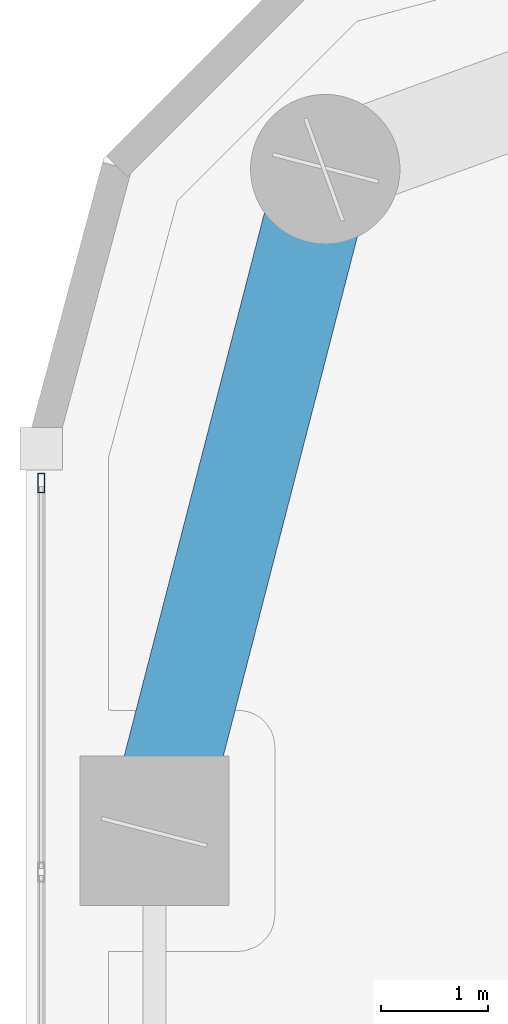
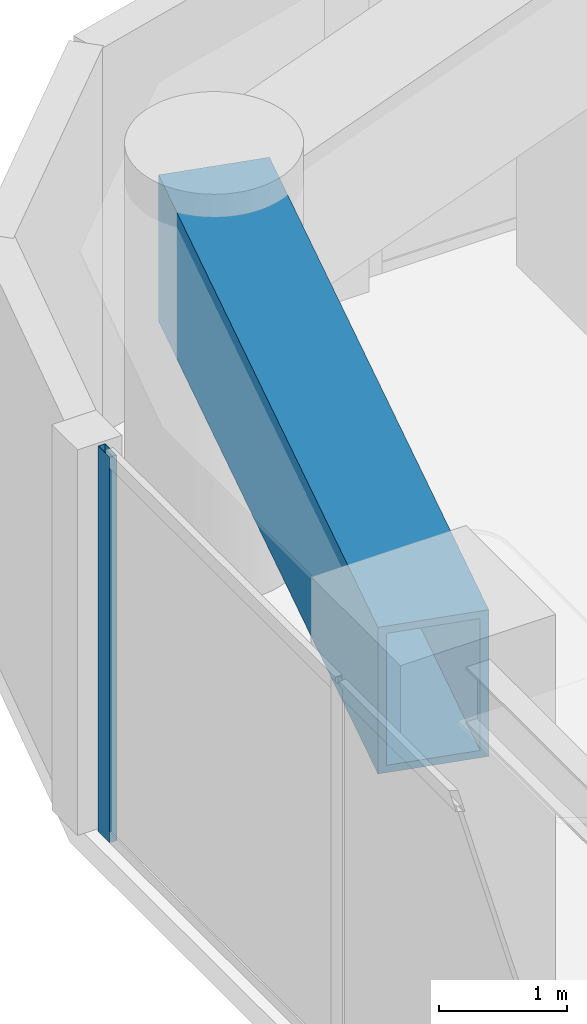
# One storey, part 15 of 30: 1 beam, 1 member, 1 element without a shape of its own.
"""IFC4 building model written with IfcOpenShell, lengths in metres."""

from ifc_helpers import new_model, si_unit, direction, frame, origin, origin_2d, place, context, subcontext, project, spatial, hollow_rectangle, extrude, material, layer, layer_set, material_profile, profile_set, type_object, element, aggregate, save


model = new_model("IFC4")

# Units and contexts
model_context = context("Model", 3, precision=1e-05, world=origin(), true_north=direction((0.0, 1.0)))
body_context = subcontext(model_context, "Body", "Model", "MODEL_VIEW")
ifc_project = project(units=[si_unit("LENGTHUNIT", "METRE"), si_unit("AREAUNIT", "SQUARE_METRE"), si_unit("VOLUMEUNIT", "CUBIC_METRE"), si_unit("PLANEANGLEUNIT", "RADIAN"), si_unit("MASSUNIT", "GRAM", prefix="KILO")], contexts=[model_context])

# Site, building, storey
site_placement = place(None, origin())
site = spatial("IfcSite", under=ifc_project, at=site_placement, CompositionType="ELEMENT")
building_placement = place(site_placement, origin())
building = spatial("IfcBuilding", under=site, at=building_placement, Name="Kiyonajd Concourse Tower", CompositionType="ELEMENT")
storey_placement = place(building_placement, frame((0.0, 0.0, 154.5)))
storey = spatial("IfcBuildingStorey", under=building, at=storey_placement, Name="L39", CompositionType="ELEMENT", Elevation=154.5)

# Beam
ifc_material_1 = material(Name="Steel ASTM A572 Grade 50", Category="steel")
ifc_material_profile_1 = material_profile(ifc_material_1, hollow_rectangle(XDim=0.89990234375, YDim=1.39990234375, WallThickness=0.070068359375, at=origin_2d()), Name="BOX-1400x900x70")
ifc_profile_set_1 = profile_set([ifc_material_profile_1], Name="Steel ASTM A572 Grade 50")
beam_type = type_object("IfcBeamType", Name="BM-XFER-1400", PredefinedType="BEAM", material=ifc_profile_set_1)
beam_placement = place(storey_placement, frame((20.800048828125, 59.60009765625, 2.97998046875), z_axis=(-0.249884937687, -0.968275538221, 0.0), x_axis=(0.968275538221, -0.249884937687, 0.0)))
element("IfcBeam", 1, at=beam_placement, inside=storey, type_object=beam_type, Name="L39 Perimeter Bundled Tube Spandrel", PredefinedType="BEAM", context=body_context, shape_type="SweptSolid", body=[
    extrude(hollow_rectangle(XDim=0.89990234375, YDim=1.39990234375, WallThickness=0.070068359375, at=origin_2d()), origin(), (0.0, 0.0, 1.0), 6.4033203125),
])

# Curtain wall, member
ifc_material_2 = material(Name="Thermally Broken Anodised Aluminium", Category="aluminium")
ifc_layer = layer(ifc_material_2, 0.179931640625)
ifc_layer_set = layer_set([ifc_layer], Name="Thermally Broken Anodised Aluminium")
curtain_wall_type = type_object("IfcCurtainWallType", Name="CW-SYS-03", PredefinedType="NOTDEFINED", material=ifc_layer_set)
curtain_wall_placement = place(storey_placement, origin())
curtain_wall = element("IfcCurtainWall", 2, at=curtain_wall_placement, inside=storey, type_object=curtain_wall_type, Name="L39 Unitised Curtain Wall CW3", PredefinedType="NOTDEFINED")
ifc_material_profile_2 = material_profile(ifc_material_2, hollow_rectangle(XDim=0.06494140625, YDim=0.179931640625, WallThickness=0.00390625, at=origin_2d()), Name="MULL-65x180")
ifc_profile_set_2 = profile_set([ifc_material_profile_2], Name="Thermally Broken Anodised Aluminium")
member_type = type_object("IfcMemberType", Name="MB-CW-MULL1", PredefinedType="MULLION", material=ifc_profile_set_2)
member_placement = place(storey_placement, frame((18.139892578125, 56.6591796875, 0.0), z_axis=(0.0, 0.0, 1.0), x_axis=(-1.0, 0.0, 0.0)))
member = element("IfcMember", 3, at=member_placement, type_object=member_type, Name="CW3 mullion 7", PredefinedType="MULLION", context=body_context, shape_type="SweptSolid", body=[
    extrude(hollow_rectangle(XDim=0.06494140625, YDim=0.179931640625, WallThickness=0.00390625, at=origin_2d()), origin(), (0.0, 0.0, 1.0), 3.679931640625),
])
aggregate(curtain_wall, [member])

save(model, "model.ifc")
